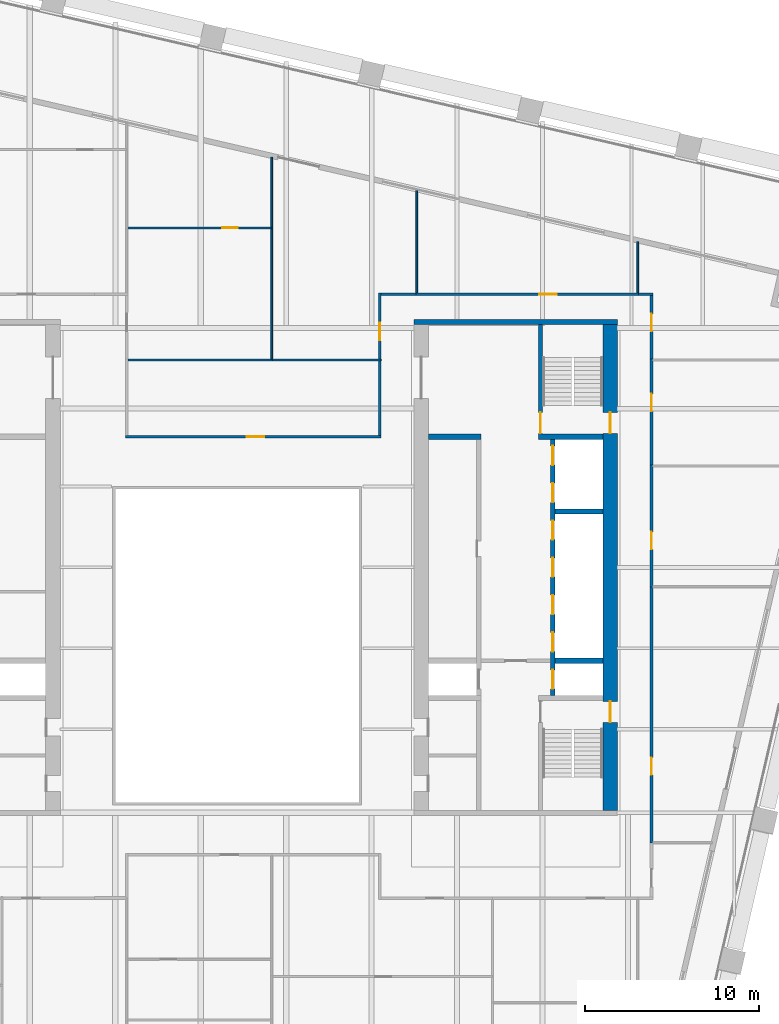
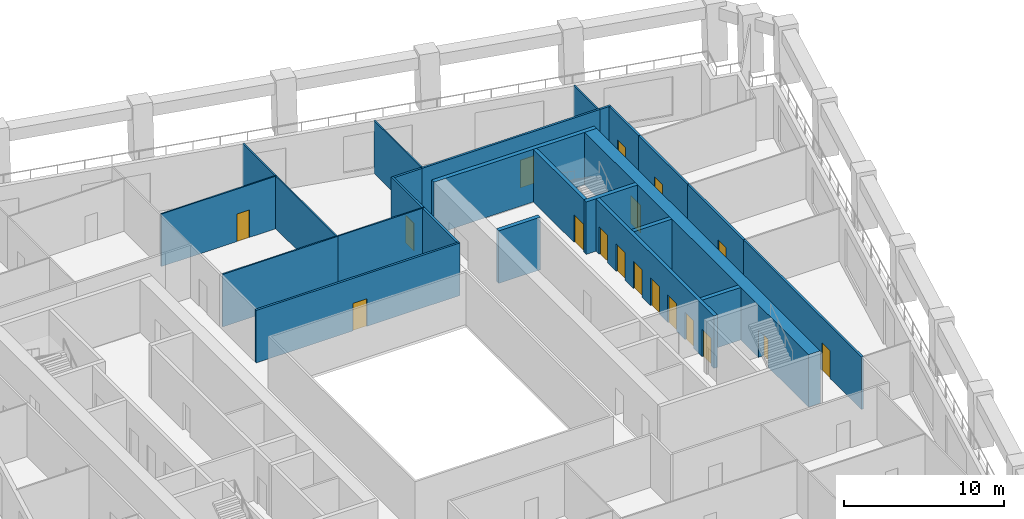
# One storey, part 8 of 11: 25 walls, 18 doors, 18 openings.
"""IFC4 building model written with IfcOpenShell, lengths in metres."""

from ifc_helpers import new_model, si_unit, direction, frame, frame_2d, origin, place, context, subcontext, project, spatial, rectangle, extrude, material, layer, layer_set, type_object, element, fill, save


model = new_model("IFC4")

# Units and contexts
model_context = context("Model", 3, precision=1e-05, world=origin(), true_north=direction((0.0, 1.0)))
body_context = subcontext(model_context, "Body", "Model", "MODEL_VIEW")
ifc_project = project(units=[si_unit("LENGTHUNIT", "METRE"), si_unit("AREAUNIT", "SQUARE_METRE"), si_unit("VOLUMEUNIT", "CUBIC_METRE"), si_unit("PLANEANGLEUNIT", "RADIAN"), si_unit("MASSUNIT", "GRAM", prefix="KILO")], contexts=[model_context])

# Site, building, storey
site_placement = place(None, origin())
site = spatial("IfcSite", under=ifc_project, at=site_placement, CompositionType="ELEMENT")
building_placement = place(site_placement, origin())
building = spatial("IfcBuilding", under=site, at=building_placement, Name="Ogive Exchange Tower", CompositionType="ELEMENT")
storey_placement = place(building_placement, frame((0.0, 0.0, 135.0)))
storey = spatial("IfcBuildingStorey", under=building, at=storey_placement, Name="L29", CompositionType="ELEMENT", Elevation=135.0)

# Wall
ifc_material_1 = material(Name="Gypsum board partition")
ifc_layer_1 = layer(ifc_material_1, 0.300048828125)
ifc_layer_set_1 = layer_set([ifc_layer_1], Name="Core room partition 300 gypsum")
wall_type_1 = type_object("IfcWallType", Name="Core room partition 300 gypsum", PredefinedType="PARTITIONING", material=ifc_layer_set_1)
wall_1_placement = place(storey_placement, frame((11.0, 19.0, 0.0), z_axis=(0.0, 0.0, 1.0), x_axis=(1.0, 0.0, 0.0)))
element("IfcWall", 1, at=wall_1_placement, inside=storey, type_object=wall_type_1, Name="E row B room end wall 7", PredefinedType="PARTITIONING", context=body_context, shape_type="SweptSolid", body=[
    extrude(rectangle(XDim=3.0, YDim=0.300048828125, at=frame_2d((1.5, 0.0))), origin(), (0.0, 0.0, 1.0), 4.0),
])

# Wall, opening, door
ifc_material_2 = material(Name="Fire partition EI 60 150")
ifc_layer_2 = layer(ifc_material_2, 0.14990234375)
ifc_layer_set_2 = layer_set([ifc_layer_2], Name="Fire partition EI 60 150")
wall_type_2 = type_object("IfcWallType", Name="Fire partition EI 60 150", PredefinedType="PARTITIONING", material=ifc_layer_set_2)
wall_2_placement = place(storey_placement, frame((-6.4150390625, 19.0, 0.0), z_axis=(0.0, 0.0, 1.0), x_axis=(1.0, 0.0, 0.0)))
wall_2 = element("IfcWall", 2, at=wall_2_placement, inside=storey, type_object=wall_type_2, Name="L29-PWL-043", PredefinedType="PARTITIONING", context=body_context, shape_type="SweptSolid", body=[
    extrude(rectangle(XDim=14.68994140625, YDim=0.14990234375, at=frame_2d((7.344970703125, 0.0))), origin(), (0.0, 0.0, 1.0), 4.0),
])
opening_1_placement = place(wall_2_placement, frame((6.965087890625, 0.0, 0.0)))
opening_1 = element("IfcOpeningElement", 3, at=opening_1_placement, cuts=wall_2, Name="Opening L29-I10", PredefinedType="OPENING", context=body_context, shape_type="SweptSolid", body=[
    extrude(rectangle(XDim=1.0, YDim=2.10009765625, at=frame_2d((0.5, 1.050048828125))), frame((0.0, 0.0849609375, 0.0), z_axis=(0.0, -1.0, 0.0), x_axis=(1.0, 0.0, 0.0)), (0.0, 0.0, 1.0), 0.169921875),
])
ifc_material_3 = material(Name="Fire door FD 30S 1000 x 2100")
door_type_1 = type_object("IfcDoorType", Name="Fire door FD 30S 1000 x 2100", OperationType="NOTDEFINED", PredefinedType="DOOR", material=ifc_material_3)
door_1_placement = place(opening_1_placement, origin())
door_1 = element("IfcDoor", 4, at=door_1_placement, inside=storey, type_object=door_type_1, Name="L29-IDR-010", ObjectType="DT3", OperationType="SINGLE_SWING_RIGHT", OverallHeight=2.10009765625, OverallWidth=1.0, PredefinedType="DOOR", context=body_context, shape_type="SweptSolid", body=[
    extrude(rectangle(XDim=1.0, YDim=2.10009765625, at=frame_2d((0.5, 1.050048828125))), frame((0.0, 0.02490234375, 0.0), z_axis=(0.0, -1.0, 0.0), x_axis=(1.0, 0.0, 0.0)), (0.0, 0.0, 1.0), 0.050048828125),
])
fill(opening_1, door_1)

# Wall
wall_3_placement = place(storey_placement, frame((8.199951171875, 19.074951171875, 0.0), z_axis=(0.0, 0.0, 1.0), x_axis=(0.0, 1.0, 0.0)))
element("IfcWall", 5, at=wall_3_placement, inside=storey, type_object=wall_type_2, Name="L29-PWL-063", PredefinedType="PARTITIONING", context=body_context, shape_type="SweptSolid", body=[
    extrude(rectangle(XDim=4.28515625, YDim=0.14990234375, at=frame_2d((2.142578125, 0.0))), origin(), (0.0, 0.0, 1.0), 4.0),
])

# Wall, opening, door
wall_4_placement = place(storey_placement, frame((8.199951171875, 23.4599609375, 0.0), z_axis=(0.0, 0.0, 1.0), x_axis=(0.0, 1.0, 0.0)))
wall_4 = element("IfcWall", 6, at=wall_4_placement, inside=storey, type_object=wall_type_2, Name="L29-PWL-064", PredefinedType="PARTITIONING", context=body_context, shape_type="SweptSolid", body=[
    extrude(rectangle(XDim=3.81494140625, YDim=0.14990234375, at=frame_2d((1.907470703125, 0.0))), origin(), (0.0, 0.0, 1.0), 4.0),
])
opening_2_placement = place(wall_4_placement, frame((1.090087890625, 0.0, 0.0)))
opening_2 = element("IfcOpeningElement", 7, at=opening_2_placement, cuts=wall_4, Name="Opening L29-I15", PredefinedType="OPENING", context=body_context, shape_type="SweptSolid", body=[
    extrude(rectangle(XDim=1.0, YDim=2.10009765625, at=frame_2d((0.5, 1.050048828125))), frame((0.0, 0.0849609375, 0.0), z_axis=(0.0, -1.0, 0.0), x_axis=(1.0, 0.0, 0.0)), (0.0, 0.0, 1.0), 0.169921875),
])
door_2_placement = place(opening_2_placement, origin())
door_2 = element("IfcDoor", 8, at=door_2_placement, inside=storey, type_object=door_type_1, Name="L29-IDR-015", ObjectType="DT3", OperationType="SINGLE_SWING_RIGHT", OverallHeight=2.10009765625, OverallWidth=1.0, PredefinedType="DOOR", context=body_context, shape_type="SweptSolid", body=[
    extrude(rectangle(XDim=1.0, YDim=2.10009765625, at=frame_2d((0.5, 1.050048828125))), frame((0.0, 0.02490234375, 0.0), z_axis=(0.0, -1.0, 0.0), x_axis=(1.0, 0.0, 0.0)), (0.0, 0.0, 1.0), 0.050048828125),
])
fill(opening_2, door_2)

# Wall
wall_5_placement = place(storey_placement, frame((8.27490234375, 27.199951171875, 0.0), z_axis=(0.0, 0.0, 1.0), x_axis=(1.0, 0.0, 0.0)))
element("IfcWall", 9, at=wall_5_placement, inside=storey, type_object=wall_type_2, Name="L29-PWL-065", PredefinedType="PARTITIONING", context=body_context, shape_type="SweptSolid", body=[
    extrude(rectangle(XDim=1.9951171875, YDim=0.14990234375, at=frame_2d((0.99755859375, 0.0))), origin(), (0.0, 0.0, 1.0), 4.0),
])

# Wall, opening, door
wall_6_placement = place(storey_placement, frame((10.27001953125, 27.199951171875, 0.0), z_axis=(0.0, 0.0, 1.0), x_axis=(1.0, 0.0, 0.0)))
wall_6 = element("IfcWall", 10, at=wall_6_placement, inside=storey, type_object=wall_type_2, Name="L29-PWL-066", PredefinedType="PARTITIONING", context=body_context, shape_type="SweptSolid", body=[
    extrude(rectangle(XDim=12.7900390625, YDim=0.14990234375, at=frame_2d((6.39501953125, 0.0))), origin(), (0.0, 0.0, 1.0), 4.0),
])
opening_3_placement = place(wall_6_placement, frame((7.090087890625, 0.0, 0.0)))
opening_3 = element("IfcOpeningElement", 11, at=opening_3_placement, cuts=wall_6, Name="Opening L29-I16", PredefinedType="OPENING", context=body_context, shape_type="SweptSolid", body=[
    extrude(rectangle(XDim=1.0, YDim=2.10009765625, at=frame_2d((0.5, 1.050048828125))), frame((0.0, 0.0849609375, 0.0), z_axis=(0.0, -1.0, 0.0), x_axis=(1.0, 0.0, 0.0)), (0.0, 0.0, 1.0), 0.169921875),
])
door_3_placement = place(opening_3_placement, origin())
door_3 = element("IfcDoor", 12, at=door_3_placement, inside=storey, type_object=door_type_1, Name="L29-IDR-016", ObjectType="DT3", OperationType="SINGLE_SWING_LEFT", OverallHeight=2.10009765625, OverallWidth=1.0, PredefinedType="DOOR", context=body_context, shape_type="SweptSolid", body=[
    extrude(rectangle(XDim=1.0, YDim=2.10009765625, at=frame_2d((0.5, 1.050048828125))), frame((0.0, 0.02490234375, 0.0), z_axis=(0.0, -1.0, 0.0), x_axis=(1.0, 0.0, 0.0)), (0.0, 0.0, 1.0), 0.050048828125),
])
fill(opening_3, door_3)

# Wall
wall_7_placement = place(storey_placement, frame((23.06005859375, 27.199951171875, 0.0), z_axis=(0.0, 0.0, 1.0), x_axis=(1.0, 0.0, 0.0)))
element("IfcWall", 13, at=wall_7_placement, inside=storey, type_object=wall_type_2, Name="L29-PWL-078", PredefinedType="PARTITIONING", context=body_context, shape_type="SweptSolid", body=[
    extrude(rectangle(XDim=0.81494140625, YDim=0.14990234375, at=frame_2d((0.407470703125, 0.0))), origin(), (0.0, 0.0, 1.0), 4.0),
])

# Wall, opening, door
wall_8_placement = place(storey_placement, frame((23.800048828125, 10.43994140625, 0.0), z_axis=(0.0, 0.0, 1.0), x_axis=(0.0, -1.0, 0.0)))
wall_8 = element("IfcWall", 14, at=wall_8_placement, inside=storey, type_object=wall_type_2, Name="L29-PWL-083", PredefinedType="PARTITIONING", context=body_context, shape_type="SweptSolid", body=[
    extrude(rectangle(XDim=14.760009765625, YDim=0.14990234375, at=frame_2d((7.3798828125, 0.0))), origin(), (0.0, 0.0, 1.0), 4.0),
])
opening_4_placement = place(wall_8_placement, frame((9.860107421875, 0.0, 0.0)))
opening_4 = element("IfcOpeningElement", 15, at=opening_4_placement, cuts=wall_8, Name="Opening L29-I09", PredefinedType="OPENING", context=body_context, shape_type="SweptSolid", body=[
    extrude(rectangle(XDim=1.0, YDim=2.10009765625, at=frame_2d((0.5, 1.050048828125))), frame((0.0, 0.0849609375, 0.0), z_axis=(0.0, -1.0, 0.0), x_axis=(1.0, 0.0, 0.0)), (0.0, 0.0, 1.0), 0.169921875),
])
door_4_placement = place(opening_4_placement, origin())
door_4 = element("IfcDoor", 16, at=door_4_placement, inside=storey, type_object=door_type_1, Name="L29-IDR-009", ObjectType="DT3", OperationType="SINGLE_SWING_LEFT", OverallHeight=2.10009765625, OverallWidth=1.0, PredefinedType="DOOR", context=body_context, shape_type="SweptSolid", body=[
    extrude(rectangle(XDim=1.0, YDim=2.10009765625, at=frame_2d((0.5, 1.050048828125))), frame((0.0, 0.02490234375, 0.0), z_axis=(0.0, -1.0, 0.0), x_axis=(1.0, 0.0, 0.0)), (0.0, 0.0, 1.0), 0.050048828125),
])
fill(opening_4, door_4)

wall_9_placement = place(storey_placement, frame((23.800048828125, 17.3701171875, 0.0), z_axis=(0.0, 0.0, 1.0), x_axis=(0.0, -1.0, 0.0)))
wall_9 = element("IfcWall", 17, at=wall_9_placement, inside=storey, type_object=wall_type_2, Name="L29-PWL-085", PredefinedType="PARTITIONING", context=body_context, shape_type="SweptSolid", body=[
    extrude(rectangle(XDim=6.980224609375, YDim=0.14990234375, at=frame_2d((3.490234375, 0.0))), origin(), (0.0, 0.0, 1.0), 4.0),
])
opening_5_placement = place(wall_9_placement, frame((3.830078125, 0.0, 0.0)))
opening_5 = element("IfcOpeningElement", 18, at=opening_5_placement, cuts=wall_9, Name="Opening L29-I11", PredefinedType="OPENING", context=body_context, shape_type="SweptSolid", body=[
    extrude(rectangle(XDim=1.0, YDim=2.10009765625, at=frame_2d((0.5, 1.050048828125))), frame((0.0, 0.0849609375, 0.0), z_axis=(0.0, -1.0, 0.0), x_axis=(1.0, 0.0, 0.0)), (0.0, 0.0, 1.0), 0.169921875),
])
door_5_placement = place(opening_5_placement, origin())
door_5 = element("IfcDoor", 19, at=door_5_placement, inside=storey, type_object=door_type_1, Name="L29-IDR-011", ObjectType="DT3", OperationType="SINGLE_SWING_LEFT", OverallHeight=2.10009765625, OverallWidth=1.0, PredefinedType="DOOR", context=body_context, shape_type="SweptSolid", body=[
    extrude(rectangle(XDim=1.0, YDim=2.10009765625, at=frame_2d((0.5, 1.050048828125))), frame((0.0, 0.02490234375, 0.0), z_axis=(0.0, -1.0, 0.0), x_axis=(1.0, 0.0, 0.0)), (0.0, 0.0, 1.0), 0.050048828125),
])
fill(opening_5, door_5)

wall_10_placement = place(storey_placement, frame((23.800048828125, 23.4599609375, 0.0), z_axis=(0.0, 0.0, 1.0), x_axis=(0.0, -1.0, 0.0)))
wall_10 = element("IfcWall", 20, at=wall_10_placement, inside=storey, type_object=wall_type_2, Name="L29-PWL-087", PredefinedType="PARTITIONING", context=body_context, shape_type="SweptSolid", body=[
    extrude(rectangle(XDim=6.08984375, YDim=0.14990234375, at=frame_2d((3.044921875, 0.0))), origin(), (0.0, 0.0, 1.0), 4.0),
])
opening_6_placement = place(wall_10_placement, frame((1.989990234375, 0.0, 0.0)))
opening_6 = element("IfcOpeningElement", 21, at=opening_6_placement, cuts=wall_10, Name="Opening L29-I12", PredefinedType="OPENING", context=body_context, shape_type="SweptSolid", body=[
    extrude(rectangle(XDim=1.0, YDim=2.10009765625, at=frame_2d((0.5, 1.050048828125))), frame((0.0, 0.0849609375, 0.0), z_axis=(0.0, -1.0, 0.0), x_axis=(1.0, 0.0, 0.0)), (0.0, 0.0, 1.0), 0.169921875),
])
door_6_placement = place(opening_6_placement, origin())
door_6 = element("IfcDoor", 22, at=door_6_placement, inside=storey, type_object=door_type_1, Name="L29-IDR-012", ObjectType="DT3", OperationType="SINGLE_SWING_RIGHT", OverallHeight=2.10009765625, OverallWidth=1.0, PredefinedType="DOOR", context=body_context, shape_type="SweptSolid", body=[
    extrude(rectangle(XDim=1.0, YDim=2.10009765625, at=frame_2d((0.5, 1.050048828125))), frame((0.0, 0.02490234375, 0.0), z_axis=(0.0, -1.0, 0.0), x_axis=(1.0, 0.0, 0.0)), (0.0, 0.0, 1.0), 0.050048828125),
])
fill(opening_6, door_6)

wall_11_placement = place(storey_placement, frame((23.800048828125, 27.125, 0.0), z_axis=(0.0, 0.0, 1.0), x_axis=(0.0, -1.0, 0.0)))
wall_11 = element("IfcWall", 23, at=wall_11_placement, inside=storey, type_object=wall_type_2, Name="L29-PWL-089", PredefinedType="PARTITIONING", context=body_context, shape_type="SweptSolid", body=[
    extrude(rectangle(XDim=3.6650390625, YDim=0.14990234375, at=frame_2d((1.83251953125, 0.0))), origin(), (0.0, 0.0, 1.0), 4.0),
])
opening_7_placement = place(wall_11_placement, frame((1.06494140625, 0.0, 0.0)))
opening_7 = element("IfcOpeningElement", 24, at=opening_7_placement, cuts=wall_11, Name="Opening L29-I17", PredefinedType="OPENING", context=body_context, shape_type="SweptSolid", body=[
    extrude(rectangle(XDim=1.0, YDim=2.10009765625, at=frame_2d((0.5, 1.050048828125))), frame((0.0, 0.0849609375, 0.0), z_axis=(0.0, -1.0, 0.0), x_axis=(1.0, 0.0, 0.0)), (0.0, 0.0, 1.0), 0.169921875),
])
door_7_placement = place(opening_7_placement, origin())
door_7 = element("IfcDoor", 25, at=door_7_placement, inside=storey, type_object=door_type_1, Name="L29-IDR-017", ObjectType="DT3", OperationType="SINGLE_SWING_LEFT", OverallHeight=2.10009765625, OverallWidth=1.0, PredefinedType="DOOR", context=body_context, shape_type="SweptSolid", body=[
    extrude(rectangle(XDim=1.0, YDim=2.10009765625, at=frame_2d((0.5, 1.050048828125))), frame((0.0, 0.02490234375, 0.0), z_axis=(0.0, -1.0, 0.0), x_axis=(1.0, 0.0, 0.0)), (0.0, 0.0, 1.0), 0.050048828125),
])
fill(opening_7, door_7)

# Walls
ifc_material_4 = material(Name="Partition 100 gypsum")
ifc_layer_3 = layer(ifc_material_4, 0.10009765625)
ifc_layer_set_3 = layer_set([ifc_layer_3], Name="Partition 100 gypsum")
wall_type_3 = type_object("IfcWallType", Name="Partition 100 gypsum", PredefinedType="PARTITIONING", material=ifc_layer_set_3)
wall_12_placement = place(storey_placement, frame((-6.264892578125, 23.409912109375, 0.0), z_axis=(0.0, 0.0, 1.0), x_axis=(1.0, 0.0, 0.0)))
element("IfcWall", 26, at=wall_12_placement, inside=storey, type_object=wall_type_3, Name="L29-PWL-045", PredefinedType="PARTITIONING", context=body_context, shape_type="SweptSolid", body=[
    extrude(rectangle(XDim=8.304931640625, YDim=0.10009765625, at=frame_2d((4.15234375, 0.0))), origin(), (0.0, 0.0, 1.0), 4.0),
])
wall_13_placement = place(storey_placement, frame((2.0400390625, 23.409912109375, 0.0), z_axis=(0.0, 0.0, 1.0), x_axis=(1.0, 0.0, 0.0)))
element("IfcWall", 27, at=wall_13_placement, inside=storey, type_object=wall_type_3, Name="L29-PWL-057", PredefinedType="PARTITIONING", context=body_context, shape_type="SweptSolid", body=[
    extrude(rectangle(XDim=6.23486328125, YDim=0.10009765625, at=frame_2d((3.117431640625, 0.0))), origin(), (0.0, 0.0, 1.0), 4.0),
])

# Wall, opening, door
wall_14_placement = place(storey_placement, frame((2.0400390625, 31.0, 0.0), z_axis=(0.0, 0.0, 1.0), x_axis=(-1.0, 0.0, 0.0)))
wall_14 = element("IfcWall", 28, at=wall_14_placement, inside=storey, type_object=wall_type_3, Name="L29-PWL-058", PredefinedType="PARTITIONING", context=body_context, shape_type="SweptSolid", body=[
    extrude(rectangle(XDim=8.330078125, YDim=0.10009765625, at=frame_2d((4.1650390625, 0.0))), origin(), (0.0, 0.0, 1.0), 4.0),
])
opening_8_placement = place(wall_14_placement, frame((2.0, 0.0, 0.0)))
opening_8 = element("IfcOpeningElement", 29, at=opening_8_placement, cuts=wall_14, Name="Opening L29-I13", PredefinedType="OPENING", context=body_context, shape_type="SweptSolid", body=[
    extrude(rectangle(XDim=0.89990234375, YDim=2.10009765625, at=frame_2d((0.449951171875, 1.050048828125))), frame((0.0, 0.06005859375, 0.0), z_axis=(0.0, -1.0, 0.0), x_axis=(1.0, 0.0, 0.0)), (0.0, 0.0, 1.0), 0.1201171875),
])
ifc_material_5 = material(Name="Door 900 x 2100")
door_type_2 = type_object("IfcDoorType", Name="Door 900 x 2100", OperationType="NOTDEFINED", PredefinedType="DOOR", material=ifc_material_5)
door_8_placement = place(opening_8_placement, frame((0.89990234375, 0.0, 0.0), z_axis=(0.0, 0.0, 1.0), x_axis=(-1.0, 0.0, 0.0)))
door_8 = element("IfcDoor", 30, at=door_8_placement, inside=storey, type_object=door_type_2, Name="L29-IDR-013", ObjectType="DT1", OperationType="SINGLE_SWING_LEFT", OverallHeight=2.10009765625, OverallWidth=0.89990234375, PredefinedType="DOOR", context=body_context, shape_type="SweptSolid", body=[
    extrude(rectangle(XDim=0.89990234375, YDim=2.10009765625, at=frame_2d((0.449951171875, 1.050048828125))), frame((0.0, 0.02490234375, 0.0), z_axis=(0.0, -1.0, 0.0), x_axis=(1.0, 0.0, 0.0)), (0.0, 0.0, 1.0), 0.050048828125),
])
fill(opening_8, door_8)

# Walls
wall_15_placement = place(storey_placement, frame((1.989990234375, 30.949951171875, 0.0), z_axis=(0.0, 0.0, 1.0), x_axis=(0.0, -1.0, 0.0)))
element("IfcWall", 31, at=wall_15_placement, inside=storey, type_object=wall_type_3, Name="L29-PWL-059", PredefinedType="PARTITIONING", context=body_context, shape_type="SweptSolid", body=[
    extrude(rectangle(XDim=7.489990234375, YDim=0.10009765625, at=frame_2d((3.7451171875, 0.0))), origin(), (0.0, 0.0, 1.0), 4.0),
])
wall_16_placement = place(storey_placement, frame((1.989990234375, 35.06494140625, 0.0), z_axis=(0.0, 0.0, 1.0), x_axis=(0.0, -1.0, 0.0)))
element("IfcWall", 32, at=wall_16_placement, inside=storey, type_object=wall_type_3, Name="L29-PWL-060", PredefinedType="PARTITIONING", context=body_context, shape_type="SweptSolid", body=[
    extrude(rectangle(XDim=4.014892578125, YDim=0.10009765625, at=frame_2d((2.00732421875, 0.0))), origin(), (0.0, 0.0, 1.0), 4.0),
])
wall_17_placement = place(storey_placement, frame((10.320068359375, 33.14208984375, 0.0), z_axis=(0.0, 0.0, 1.0), x_axis=(0.0, -1.0, 0.0)))
element("IfcWall", 33, at=wall_17_placement, inside=storey, type_object=wall_type_3, Name="L29-PWL-067", PredefinedType="PARTITIONING", context=body_context, shape_type="SweptSolid", body=[
    extrude(rectangle(XDim=5.8671875, YDim=0.10009765625, at=frame_2d((2.93359375, 0.0))), origin(), (0.0, 0.0, 1.0), 4.0),
])
wall_18_placement = place(storey_placement, frame((23.010009765625, 30.2119140625, 0.0), z_axis=(0.0, 0.0, 1.0), x_axis=(0.0, -1.0, 0.0)))
element("IfcWall", 34, at=wall_18_placement, inside=storey, type_object=wall_type_3, Name="L29-PWL-079", PredefinedType="PARTITIONING", context=body_context, shape_type="SweptSolid", body=[
    extrude(rectangle(XDim=2.93701171875, YDim=0.10009765625, at=frame_2d((1.468505859375, 0.0))), origin(), (0.0, 0.0, 1.0), 4.0),
])

# Wall, opening, door
ifc_material_6 = material(Name="Concrete C70/85", Category="concrete")
ifc_layer_4 = layer(ifc_material_6, 0.25)
ifc_layer_set_4 = layer_set([ifc_layer_4], Name="RC core wall 250 C70/85")
wall_type_4 = type_object("IfcWallType", Name="RC core wall 250 C70/85", PredefinedType="SHEAR", material=ifc_layer_set_4)
wall_19_placement = place(storey_placement, frame((17.425048828125, 19.14990234375, 0.0), z_axis=(0.0, 0.0, 1.0), x_axis=(0.0, 1.0, 0.0)))
wall_19 = element("IfcWall", 35, at=wall_19_placement, inside=storey, type_object=wall_type_4, Name="E stair N front wall", PredefinedType="SHEAR", context=body_context, shape_type="SweptSolid", body=[
    extrude(rectangle(XDim=6.300048828125, YDim=0.25, at=frame_2d((3.14990234375, 0.0))), origin(), (0.0, 0.0, 1.0), 4.0),
])
opening_9_placement = place(wall_19_placement, frame((0.050048828125, 0.0, 0.0)))
opening_9 = element("IfcOpeningElement", 36, at=opening_9_placement, cuts=wall_19, Name="Opening L29-C32", PredefinedType="OPENING", context=body_context, shape_type="SweptSolid", body=[
    extrude(rectangle(XDim=1.199951171875, YDim=2.10009765625, at=frame_2d((0.60009765625, 1.050048828125))), frame((0.0, 0.135009765625, 0.0), z_axis=(0.0, -1.0, 0.0), x_axis=(1.0, 0.0, 0.0)), (0.0, 0.0, 1.0), 0.27001953125),
])
ifc_material_7 = material(Name="Steel fire door", Category="steel")
door_type_3 = type_object("IfcDoorType", Name="Stair door FD90 1200 x 2100", OperationType="NOTDEFINED", PredefinedType="DOOR", material=ifc_material_7)
door_9_placement = place(opening_9_placement, frame((1.199951171875, 0.0, 0.0), z_axis=(0.0, 0.0, 1.0), x_axis=(-1.0, 0.0, 0.0)))
door_9 = element("IfcDoor", 37, at=door_9_placement, inside=storey, type_object=door_type_3, Name="Stair door", ObjectType="CD5", OperationType="SINGLE_SWING_LEFT", OverallHeight=2.10009765625, OverallWidth=1.199951171875, PredefinedType="DOOR", context=body_context, shape_type="SweptSolid", body=[
    extrude(rectangle(XDim=1.199951171875, YDim=2.10009765625, at=frame_2d((0.60009765625, 1.050048828125))), frame((0.0, 0.02490234375, 0.0), z_axis=(0.0, -1.0, 0.0), x_axis=(1.0, 0.0, 0.0)), (0.0, 0.0, 1.0), 0.050048828125),
])
fill(opening_9, door_9)

# Wall, openings, doors
wall_20_placement = place(storey_placement, frame((18.125, 4.14990234375, 0.0), z_axis=(0.0, 0.0, 1.0), x_axis=(0.0, 1.0, 0.0)))
wall_20 = element("IfcWall", 38, at=wall_20_placement, inside=storey, type_object=wall_type_4, Name="E row A front wall", PredefinedType="SHEAR", context=body_context, shape_type="SweptSolid", body=[
    extrude(rectangle(XDim=14.7001953125, YDim=0.25, at=frame_2d((7.35009765625, 0.0))), origin(), (0.0, 0.0, 1.0), 4.0),
])
opening_10_placement = place(wall_20_placement, frame((0.371337890625, 0.0, 0.0)))
opening_10 = element("IfcOpeningElement", 39, at=opening_10_placement, cuts=wall_20, Name="Opening L29-C19", PredefinedType="OPENING", context=body_context, shape_type="SweptSolid", body=[
    extrude(rectangle(XDim=1.10009765625, YDim=2.10009765625, at=frame_2d((0.550048828125, 1.050048828125))), frame((0.0, 0.135009765625, 0.0), z_axis=(0.0, -1.0, 0.0), x_axis=(1.0, 0.0, 0.0)), (0.0, 0.0, 1.0), 0.27001953125),
])
opening_11_placement = place(wall_20_placement, frame((2.514404296875, 0.0, 0.0)))
opening_11 = element("IfcOpeningElement", 40, at=opening_11_placement, cuts=wall_20, Name="Opening L29-C20", PredefinedType="OPENING", context=body_context, shape_type="SweptSolid", body=[
    extrude(rectangle(XDim=1.10009765625, YDim=2.10009765625, at=frame_2d((0.550048828125, 1.050048828125))), frame((0.0, 0.135009765625, 0.0), z_axis=(0.0, -1.0, 0.0), x_axis=(1.0, 0.0, 0.0)), (0.0, 0.0, 1.0), 0.27001953125),
])
opening_12_placement = place(wall_20_placement, frame((4.656982421875, 0.0, 0.0)))
opening_12 = element("IfcOpeningElement", 41, at=opening_12_placement, cuts=wall_20, Name="Opening L29-C21", PredefinedType="OPENING", context=body_context, shape_type="SweptSolid", body=[
    extrude(rectangle(XDim=1.10009765625, YDim=2.10009765625, at=frame_2d((0.550048828125, 1.050048828125))), frame((0.0, 0.135009765625, 0.0), z_axis=(0.0, -1.0, 0.0), x_axis=(1.0, 0.0, 0.0)), (0.0, 0.0, 1.0), 0.27001953125),
])
opening_13_placement = place(wall_20_placement, frame((6.800048828125, 0.0, 0.0)))
opening_13 = element("IfcOpeningElement", 42, at=opening_13_placement, cuts=wall_20, Name="Opening L29-C22", PredefinedType="OPENING", context=body_context, shape_type="SweptSolid", body=[
    extrude(rectangle(XDim=1.10009765625, YDim=2.10009765625, at=frame_2d((0.550048828125, 1.050048828125))), frame((0.0, 0.135009765625, 0.0), z_axis=(0.0, -1.0, 0.0), x_axis=(1.0, 0.0, 0.0)), (0.0, 0.0, 1.0), 0.27001953125),
])
opening_14_placement = place(wall_20_placement, frame((8.94287109375, 0.0, 0.0)))
opening_14 = element("IfcOpeningElement", 43, at=opening_14_placement, cuts=wall_20, Name="Opening L29-C23", PredefinedType="OPENING", context=body_context, shape_type="SweptSolid", body=[
    extrude(rectangle(XDim=1.10009765625, YDim=2.10009765625, at=frame_2d((0.550048828125, 1.050048828125))), frame((0.0, 0.135009765625, 0.0), z_axis=(0.0, -1.0, 0.0), x_axis=(1.0, 0.0, 0.0)), (0.0, 0.0, 1.0), 0.27001953125),
])
opening_15_placement = place(wall_20_placement, frame((11.085693359375, 0.0, 0.0)))
opening_15 = element("IfcOpeningElement", 44, at=opening_15_placement, cuts=wall_20, Name="Opening L29-C24", PredefinedType="OPENING", context=body_context, shape_type="SweptSolid", body=[
    extrude(rectangle(XDim=1.10009765625, YDim=2.10009765625, at=frame_2d((0.550048828125, 1.050048828125))), frame((0.0, 0.135009765625, 0.0), z_axis=(0.0, -1.0, 0.0), x_axis=(1.0, 0.0, 0.0)), (0.0, 0.0, 1.0), 0.27001953125),
])
opening_16_placement = place(wall_20_placement, frame((13.228515625, 0.0, 0.0)))
opening_16 = element("IfcOpeningElement", 45, at=opening_16_placement, cuts=wall_20, Name="Opening L29-C25", PredefinedType="OPENING", context=body_context, shape_type="SweptSolid", body=[
    extrude(rectangle(XDim=1.10009765625, YDim=2.10009765625, at=frame_2d((0.550048828125, 1.050048828125))), frame((0.0, 0.135009765625, 0.0), z_axis=(0.0, -1.0, 0.0), x_axis=(1.0, 0.0, 0.0)), (0.0, 0.0, 1.0), 0.27001953125),
])
ifc_material_8 = material(Name="Stainless steel", Category="steel")
door_type_4 = type_object("IfcDoorType", Name="Lift landing door FD90 1100 x 2100", OperationType="SLIDING_TO_LEFT", PredefinedType="DOOR", material=ifc_material_8)
door_10_placement = place(opening_10_placement, origin())
door_10 = element("IfcDoor", 46, at=door_10_placement, inside=storey, type_object=door_type_4, Name="Lift landing door FF2", ObjectType="LD", OperationType="SLIDING_TO_LEFT", OverallHeight=2.10009765625, OverallWidth=1.10009765625, PredefinedType="DOOR", context=body_context, shape_type="SweptSolid", body=[
    extrude(rectangle(XDim=1.10009765625, YDim=2.10009765625, at=frame_2d((0.550048828125, 1.050048828125))), frame((0.0, 0.02490234375, 0.0), z_axis=(0.0, -1.0, 0.0), x_axis=(1.0, 0.0, 0.0)), (0.0, 0.0, 1.0), 0.050048828125),
])
fill(opening_10, door_10)
door_11_placement = place(opening_11_placement, origin())
door_11 = element("IfcDoor", 47, at=door_11_placement, inside=storey, type_object=door_type_4, Name="Lift landing door E-L1", ObjectType="LD", OperationType="SLIDING_TO_LEFT", OverallHeight=2.10009765625, OverallWidth=1.10009765625, PredefinedType="DOOR", context=body_context, shape_type="SweptSolid", body=[
    extrude(rectangle(XDim=1.10009765625, YDim=2.10009765625, at=frame_2d((0.550048828125, 1.050048828125))), frame((0.0, 0.02490234375, 0.0), z_axis=(0.0, -1.0, 0.0), x_axis=(1.0, 0.0, 0.0)), (0.0, 0.0, 1.0), 0.050048828125),
])
fill(opening_11, door_11)
door_12_placement = place(opening_12_placement, origin())
door_12 = element("IfcDoor", 48, at=door_12_placement, inside=storey, type_object=door_type_4, Name="Lift landing door E-L2", ObjectType="LD", OperationType="SLIDING_TO_LEFT", OverallHeight=2.10009765625, OverallWidth=1.10009765625, PredefinedType="DOOR", context=body_context, shape_type="SweptSolid", body=[
    extrude(rectangle(XDim=1.10009765625, YDim=2.10009765625, at=frame_2d((0.550048828125, 1.050048828125))), frame((0.0, 0.02490234375, 0.0), z_axis=(0.0, -1.0, 0.0), x_axis=(1.0, 0.0, 0.0)), (0.0, 0.0, 1.0), 0.050048828125),
])
fill(opening_12, door_12)
door_13_placement = place(opening_13_placement, origin())
door_13 = element("IfcDoor", 49, at=door_13_placement, inside=storey, type_object=door_type_4, Name="Lift landing door E-L3", ObjectType="LD", OperationType="SLIDING_TO_LEFT", OverallHeight=2.10009765625, OverallWidth=1.10009765625, PredefinedType="DOOR", context=body_context, shape_type="SweptSolid", body=[
    extrude(rectangle(XDim=1.10009765625, YDim=2.10009765625, at=frame_2d((0.550048828125, 1.050048828125))), frame((0.0, 0.02490234375, 0.0), z_axis=(0.0, -1.0, 0.0), x_axis=(1.0, 0.0, 0.0)), (0.0, 0.0, 1.0), 0.050048828125),
])
fill(opening_13, door_13)
door_14_placement = place(opening_14_placement, origin())
door_14 = element("IfcDoor", 50, at=door_14_placement, inside=storey, type_object=door_type_4, Name="Lift landing door E-L4", ObjectType="LD", OperationType="SLIDING_TO_LEFT", OverallHeight=2.10009765625, OverallWidth=1.10009765625, PredefinedType="DOOR", context=body_context, shape_type="SweptSolid", body=[
    extrude(rectangle(XDim=1.10009765625, YDim=2.10009765625, at=frame_2d((0.550048828125, 1.050048828125))), frame((0.0, 0.02490234375, 0.0), z_axis=(0.0, -1.0, 0.0), x_axis=(1.0, 0.0, 0.0)), (0.0, 0.0, 1.0), 0.050048828125),
])
fill(opening_14, door_14)
door_15_placement = place(opening_15_placement, origin())
door_15 = element("IfcDoor", 51, at=door_15_placement, inside=storey, type_object=door_type_4, Name="Lift landing door E-SH1", ObjectType="LD", OperationType="SLIDING_TO_LEFT", OverallHeight=2.10009765625, OverallWidth=1.10009765625, PredefinedType="DOOR", context=body_context, shape_type="SweptSolid", body=[
    extrude(rectangle(XDim=1.10009765625, YDim=2.10009765625, at=frame_2d((0.550048828125, 1.050048828125))), frame((0.0, 0.02490234375, 0.0), z_axis=(0.0, -1.0, 0.0), x_axis=(1.0, 0.0, 0.0)), (0.0, 0.0, 1.0), 0.050048828125),
])
fill(opening_15, door_15)
door_16_placement = place(opening_16_placement, origin())
door_16 = element("IfcDoor", 52, at=door_16_placement, inside=storey, type_object=door_type_4, Name="Lift landing door E-SH2", ObjectType="LD", OperationType="SLIDING_TO_LEFT", OverallHeight=2.10009765625, OverallWidth=1.10009765625, PredefinedType="DOOR", context=body_context, shape_type="SweptSolid", body=[
    extrude(rectangle(XDim=1.10009765625, YDim=2.10009765625, at=frame_2d((0.550048828125, 1.050048828125))), frame((0.0, 0.02490234375, 0.0), z_axis=(0.0, -1.0, 0.0), x_axis=(1.0, 0.0, 0.0)), (0.0, 0.0, 1.0), 0.050048828125),
])
fill(opening_16, door_16)

# Walls
ifc_layer_5 = layer(ifc_material_6, 0.300048828125)
ifc_layer_set_5 = layer_set([ifc_layer_5], Name="RC core wall 300 C70/85")
wall_type_5 = type_object("IfcWallType", Name="RC core wall 300 C70/85", PredefinedType="SHEAR", material=ifc_layer_set_5)
wall_21_placement = place(storey_placement, frame((10.14990234375, 25.60009765625, 0.0), z_axis=(0.0, 0.0, 1.0), x_axis=(1.0, 0.0, 0.0)))
element("IfcWall", 53, at=wall_21_placement, inside=storey, type_object=wall_type_5, Name="E north end wall", PredefinedType="SHEAR", context=body_context, shape_type="SweptSolid", body=[
    extrude(rectangle(XDim=11.7001953125, YDim=0.300048828125, at=frame_2d((5.85009765625, 0.0))), origin(), (0.0, 0.0, 1.0), 4.0),
])
wall_22_placement = place(storey_placement, frame((17.300048828125, 19.0, 0.0), z_axis=(0.0, 0.0, 1.0), x_axis=(1.0, 0.0, 0.0)))
element("IfcWall", 54, at=wall_22_placement, inside=storey, type_object=wall_type_5, Name="E stair N south wall", PredefinedType="SHEAR", context=body_context, shape_type="SweptSolid", body=[
    extrude(rectangle(XDim=3.699951171875, YDim=0.300048828125, at=frame_2d((1.85009765625, 0.0))), origin(), (0.0, 0.0, 1.0), 4.0),
])
for number, where, z_axis, x_axis, name in (
    (55, (18.25, 6.142822265625, 0.0), (0.0, 0.0, 1.0), (1.0, 0.0, 0.0), "E row A divider 1"),
    (56, (18.25, 14.71435546875, 0.0), (0.0, 0.0, 1.0), (1.0, 0.0, 0.0), "E row A divider 5"),
):
    element("IfcWall", number, at=place(storey_placement, frame(where, z_axis=z_axis, x_axis=x_axis)), inside=storey, type_object=wall_type_5, Name=name, PredefinedType="SHEAR", context=body_context, shape_type="SweptSolid", body=[
        extrude(rectangle(XDim=2.75, YDim=0.300048828125, at=frame_2d((1.375, 0.0))), origin(), (0.0, 0.0, 1.0), 4.0),
    ])

# Wall, openings, doors
ifc_layer_6 = layer(ifc_material_6, 0.85009765625)
ifc_layer_set_6 = layer_set([ifc_layer_6], Name="RC core wall 850 C70/85")
wall_type_6 = type_object("IfcWallType", Name="RC core wall 850 C70/85", PredefinedType="SHEAR", material=ifc_layer_set_6)
wall_23_placement = place(storey_placement, frame((21.425048828125, -2.449951171875, 0.0), z_axis=(0.0, 0.0, 1.0), x_axis=(0.0, 1.0, 0.0)))
wall_23 = element("IfcWall", 57, at=wall_23_placement, inside=storey, type_object=wall_type_6, Name="E outer wall", PredefinedType="SHEAR", context=body_context, shape_type="SweptSolid", body=[
    extrude(rectangle(XDim=27.89990234375, YDim=0.85009765625, at=frame_2d((13.949951171875, 0.0))), origin(), (0.0, 0.0, 1.0), 4.0),
])
opening_17_placement = place(wall_23_placement, frame((5.050048828125, 0.0, 0.0)))
opening_17 = element("IfcOpeningElement", 58, at=opening_17_placement, cuts=wall_23, Name="Opening L29-C31", PredefinedType="OPENING", context=body_context, shape_type="SweptSolid", body=[
    extrude(rectangle(XDim=1.199951171875, YDim=2.10009765625, at=frame_2d((0.60009765625, 1.050048828125))), frame((0.0, 0.43505859375, 0.0), z_axis=(0.0, -1.0, 0.0), x_axis=(1.0, 0.0, 0.0)), (0.0, 0.0, 1.0), 0.8701171875),
])
opening_18_placement = place(wall_23_placement, frame((21.64990234375, 0.0, 0.0)))
opening_18 = element("IfcOpeningElement", 59, at=opening_18_placement, cuts=wall_23, Name="Opening L29-C33", PredefinedType="OPENING", context=body_context, shape_type="SweptSolid", body=[
    extrude(rectangle(XDim=1.199951171875, YDim=2.10009765625, at=frame_2d((0.60009765625, 1.050048828125))), frame((0.0, 0.43505859375, 0.0), z_axis=(0.0, -1.0, 0.0), x_axis=(1.0, 0.0, 0.0)), (0.0, 0.0, 1.0), 0.8701171875),
])
door_17_placement = place(opening_17_placement, origin())
door_17 = element("IfcDoor", 60, at=door_17_placement, inside=storey, type_object=door_type_3, Name="Stair door", ObjectType="CD5", OperationType="SINGLE_SWING_LEFT", OverallHeight=2.10009765625, OverallWidth=1.199951171875, PredefinedType="DOOR", context=body_context, shape_type="SweptSolid", body=[
    extrude(rectangle(XDim=1.199951171875, YDim=2.10009765625, at=frame_2d((0.60009765625, 1.050048828125))), frame((0.0, 0.02490234375, 0.0), z_axis=(0.0, -1.0, 0.0), x_axis=(1.0, 0.0, 0.0)), (0.0, 0.0, 1.0), 0.050048828125),
])
fill(opening_17, door_17)
door_18_placement = place(opening_18_placement, origin())
door_18 = element("IfcDoor", 61, at=door_18_placement, inside=storey, type_object=door_type_3, Name="Stair door", ObjectType="CD5", OperationType="SINGLE_SWING_RIGHT", OverallHeight=2.10009765625, OverallWidth=1.199951171875, PredefinedType="DOOR", context=body_context, shape_type="SweptSolid", body=[
    extrude(rectangle(XDim=1.199951171875, YDim=2.10009765625, at=frame_2d((0.60009765625, 1.050048828125))), frame((0.0, 0.02490234375, 0.0), z_axis=(0.0, -1.0, 0.0), x_axis=(1.0, 0.0, 0.0)), (0.0, 0.0, 1.0), 0.050048828125),
])
fill(opening_18, door_18)

save(model, "model.ifc")
